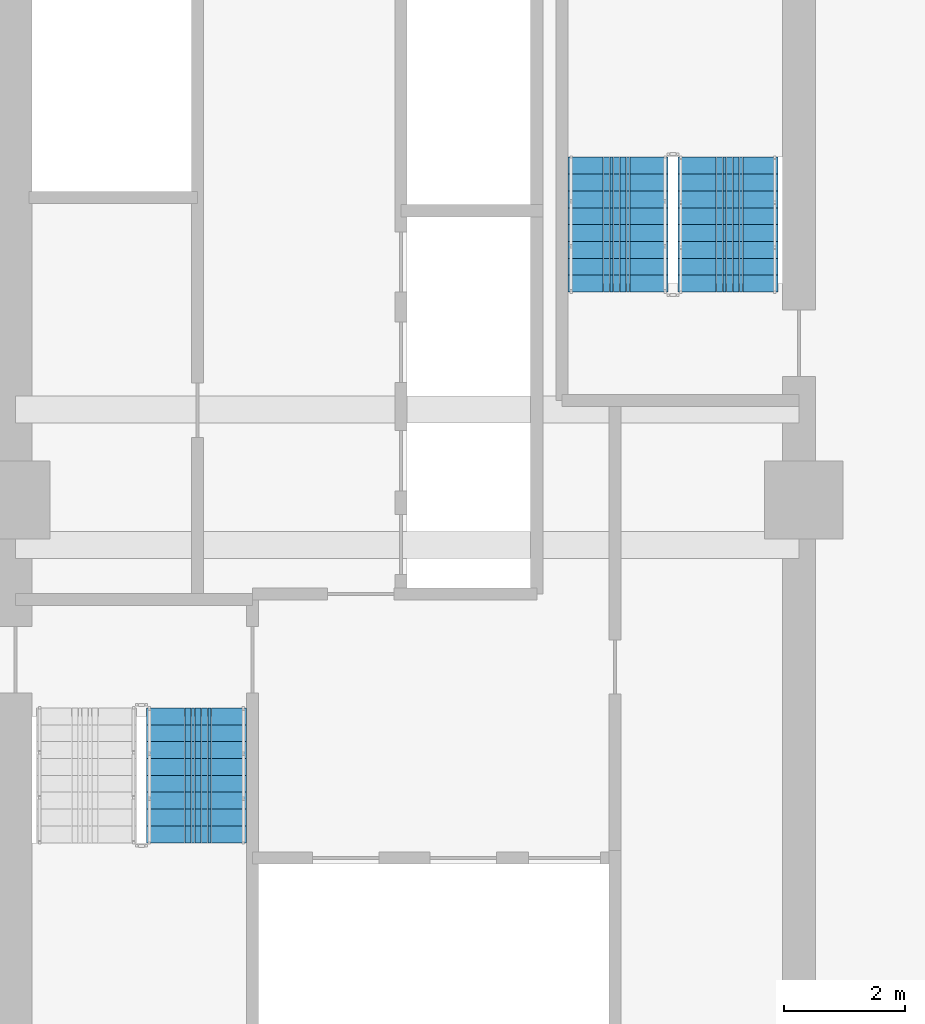
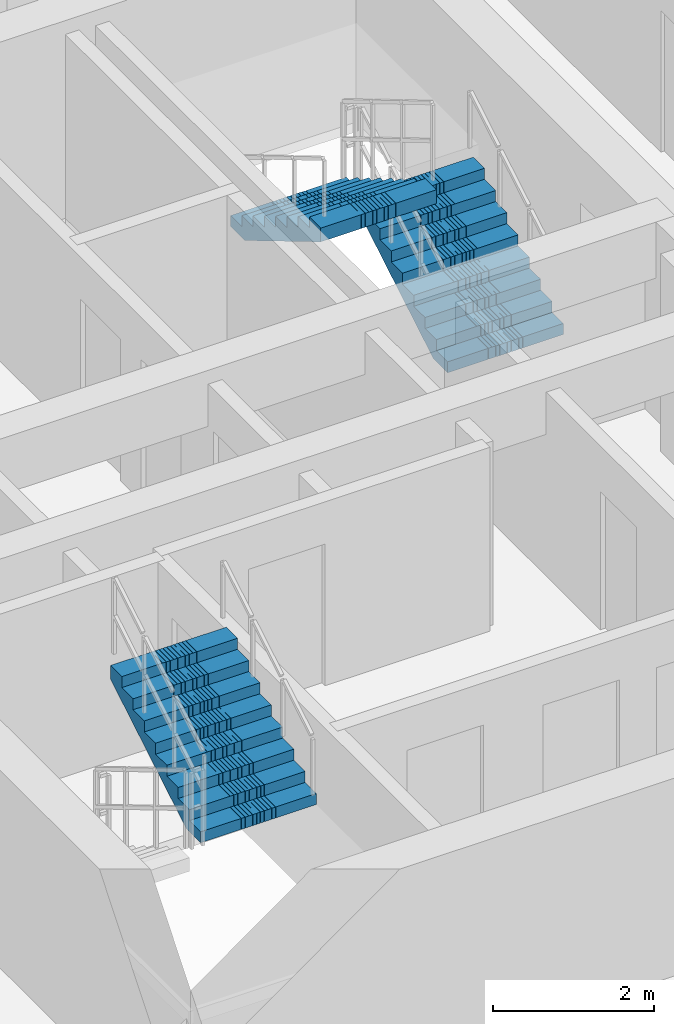
# One storey, part 7 of 11: 3 stair flights, 2 elements without a shape of their own.
"""IFC4 building model written with IfcOpenShell, lengths in metres."""

from ifc_helpers import new_model, si_unit, direction, frame, origin, place, context, subcontext, project, spatial, polyline, outline, extrude, material, type_object, element, aggregate, save


model = new_model("IFC4")

# Units and contexts
model_context = context("Model", 3, precision=1e-05, world=origin(), true_north=direction((0.0, 1.0)))
body_context = subcontext(model_context, "Body", "Model", "MODEL_VIEW")
ifc_project = project(units=[si_unit("LENGTHUNIT", "METRE"), si_unit("AREAUNIT", "SQUARE_METRE"), si_unit("VOLUMEUNIT", "CUBIC_METRE"), si_unit("PLANEANGLEUNIT", "RADIAN"), si_unit("MASSUNIT", "GRAM", prefix="KILO")], contexts=[model_context])

# Site, building, storey
site_placement = place(None, origin())
site = spatial("IfcSite", under=ifc_project, at=site_placement, CompositionType="ELEMENT")
building_placement = place(site_placement, origin())
building = spatial("IfcBuilding", under=site, at=building_placement, Name="Saelheon Loggia Tower", CompositionType="ELEMENT")
storey_placement = place(building_placement, frame((0.0, 0.0, 138.75)))
storey = spatial("IfcBuildingStorey", under=building, at=storey_placement, Name="L44", CompositionType="ELEMENT", Elevation=138.75)

# Stair, stair flight
ifc_material = material(Name="Concrete C40/50", Category="concrete")
stair_type = type_object("IfcStairType", Name="Stair_Escape_Core", PredefinedType="HALF_TURN_STAIR", material=ifc_material)
stair_1_placement = place(storey_placement, origin())
stair_1 = element("IfcStair", 1, at=stair_1_placement, inside=storey, type_object=stair_type, Name="L44 Special Escape Stair ST1", PredefinedType="HALF_TURN_STAIR")
stair_flight_type = type_object("IfcStairFlightType", Name="StairFlight_Tower_1660", PredefinedType="STRAIGHT", material=ifc_material)
stair_flight_1_placement = place(storey_placement, frame((34.5, 21.31005859375, 1.5), z_axis=(0.0, 0.0, 1.0), x_axis=(0.0, 1.0, 0.0)))
stair_flight_1 = element("IfcStairFlight", 2, at=stair_flight_1_placement, type_object=stair_flight_type, Name="ST1 flight 2", NumberOfRisers=9, NumberOfTreads=8, PredefinedType="STRAIGHT", RiserHeight=0.166666667, TreadLength=0.28, context=body_context, shape_type="SweptSolid", body=[
    extrude(outline(polyline([(0.0, 0.0), (0.0, 0.166748046875), (0.280029296875, 0.166748046875), (0.280029296875, 0.333251953125), (0.56005859375, 0.333251953125), (0.56005859375, 0.5), (0.840087890625, 0.5), (0.840087890625, 0.666748046875), (1.1201171875, 0.666748046875), (1.1201171875, 0.833251953125), (1.39990234375, 0.833251953125), (1.39990234375, 1.0), (1.679931640625, 1.0), (1.679931640625, 1.166748046875), (1.9599609375, 1.166748046875), (1.9599609375, 1.333251953125), (2.239990234375, 1.333251953125), (2.239990234375, 1.5), (2.239990234375, 1.1240234375), (0.351806640625, 0.0), (0.0, 0.0)])), frame((0.0, -0.2490234375, 0.0), z_axis=(0.0, -1.0, 0.0), x_axis=(1.0, 0.0, 0.0)), (0.0, 0.0, 1.0), 0.5810546875),
    extrude(outline(polyline([(0.0, 0.0), (0.0, 0.166748046875), (0.280029296875, 0.166748046875), (0.280029296875, 0.333251953125), (0.56005859375, 0.333251953125), (0.56005859375, 0.5), (0.840087890625, 0.5), (0.840087890625, 0.666748046875), (1.1201171875, 0.666748046875), (1.1201171875, 0.833251953125), (1.39990234375, 0.833251953125), (1.39990234375, 1.0), (1.679931640625, 1.0), (1.679931640625, 1.166748046875), (1.9599609375, 1.166748046875), (1.9599609375, 1.333251953125), (2.239990234375, 1.333251953125), (2.239990234375, 1.5), (2.239990234375, 1.1240234375), (0.351806640625, 0.0), (0.0, 0.0)])), frame((0.0, -0.194091796875, 0.0), z_axis=(0.0, -1.0, 0.0), x_axis=(1.0, 0.0, 0.0)), (0.0, 0.0, 1.0), 0.0498046875),
    extrude(outline(polyline([(0.0, 0.0), (0.0, 0.166748046875), (0.280029296875, 0.166748046875), (0.280029296875, 0.333251953125), (0.56005859375, 0.333251953125), (0.56005859375, 0.5), (0.840087890625, 0.5), (0.840087890625, 0.666748046875), (1.1201171875, 0.666748046875), (1.1201171875, 0.833251953125), (1.39990234375, 0.833251953125), (1.39990234375, 1.0), (1.679931640625, 1.0), (1.679931640625, 1.166748046875), (1.9599609375, 1.166748046875), (1.9599609375, 1.333251953125), (2.239990234375, 1.333251953125), (2.239990234375, 1.5), (2.239990234375, 1.1240234375), (0.351806640625, 0.0), (0.0, 0.0)])), frame((0.0, -0.139404296875, 0.0), z_axis=(0.0, -1.0, 0.0), x_axis=(1.0, 0.0, 0.0)), (0.0, 0.0, 1.0), 0.0498046875),
    extrude(outline(polyline([(0.0, 0.0), (0.0, 0.166748046875), (0.280029296875, 0.166748046875), (0.280029296875, 0.333251953125), (0.56005859375, 0.333251953125), (0.56005859375, 0.5), (0.840087890625, 0.5), (0.840087890625, 0.666748046875), (1.1201171875, 0.666748046875), (1.1201171875, 0.833251953125), (1.39990234375, 0.833251953125), (1.39990234375, 1.0), (1.679931640625, 1.0), (1.679931640625, 1.166748046875), (1.9599609375, 1.166748046875), (1.9599609375, 1.333251953125), (2.239990234375, 1.333251953125), (2.239990234375, 1.5), (2.239990234375, 1.1240234375), (0.351806640625, 0.0), (0.0, 0.0)])), frame((0.0, -0.084716796875, 0.0), z_axis=(0.0, -1.0, 0.0), x_axis=(1.0, 0.0, 0.0)), (0.0, 0.0, 1.0), 0.0498046875),
    extrude(outline(polyline([(0.0, 0.0), (0.0, 0.166748046875), (0.280029296875, 0.166748046875), (0.280029296875, 0.333251953125), (0.56005859375, 0.333251953125), (0.56005859375, 0.5), (0.840087890625, 0.5), (0.840087890625, 0.666748046875), (1.1201171875, 0.666748046875), (1.1201171875, 0.833251953125), (1.39990234375, 0.833251953125), (1.39990234375, 1.0), (1.679931640625, 1.0), (1.679931640625, 1.166748046875), (1.9599609375, 1.166748046875), (1.9599609375, 1.333251953125), (2.239990234375, 1.333251953125), (2.239990234375, 1.5), (2.239990234375, 1.1240234375), (0.351806640625, 0.0), (0.0, 0.0)])), frame((0.0, -0.02978515625, 0.0), z_axis=(0.0, -1.0, 0.0), x_axis=(1.0, 0.0, 0.0)), (0.0, 0.0, 1.0), 0.0498046875),
    extrude(outline(polyline([(0.0, 0.0), (0.0, 0.166748046875), (0.280029296875, 0.166748046875), (0.280029296875, 0.333251953125), (0.56005859375, 0.333251953125), (0.56005859375, 0.5), (0.840087890625, 0.5), (0.840087890625, 0.666748046875), (1.1201171875, 0.666748046875), (1.1201171875, 0.833251953125), (1.39990234375, 0.833251953125), (1.39990234375, 1.0), (1.679931640625, 1.0), (1.679931640625, 1.166748046875), (1.9599609375, 1.166748046875), (1.9599609375, 1.333251953125), (2.239990234375, 1.333251953125), (2.239990234375, 1.5), (2.239990234375, 1.1240234375), (0.351806640625, 0.0), (0.0, 0.0)])), frame((0.0, 0.02490234375, 0.0), z_axis=(0.0, -1.0, 0.0), x_axis=(1.0, 0.0, 0.0)), (0.0, 0.0, 1.0), 0.0498046875),
    extrude(outline(polyline([(0.0, 0.0), (0.0, 0.166748046875), (0.280029296875, 0.166748046875), (0.280029296875, 0.333251953125), (0.56005859375, 0.333251953125), (0.56005859375, 0.5), (0.840087890625, 0.5), (0.840087890625, 0.666748046875), (1.1201171875, 0.666748046875), (1.1201171875, 0.833251953125), (1.39990234375, 0.833251953125), (1.39990234375, 1.0), (1.679931640625, 1.0), (1.679931640625, 1.166748046875), (1.9599609375, 1.166748046875), (1.9599609375, 1.333251953125), (2.239990234375, 1.333251953125), (2.239990234375, 1.5), (2.239990234375, 1.1240234375), (0.351806640625, 0.0), (0.0, 0.0)])), frame((0.0, 0.07958984375, 0.0), z_axis=(0.0, -1.0, 0.0), x_axis=(1.0, 0.0, 0.0)), (0.0, 0.0, 1.0), 0.0498046875),
    extrude(outline(polyline([(0.0, 0.0), (0.0, 0.166748046875), (0.280029296875, 0.166748046875), (0.280029296875, 0.333251953125), (0.56005859375, 0.333251953125), (0.56005859375, 0.5), (0.840087890625, 0.5), (0.840087890625, 0.666748046875), (1.1201171875, 0.666748046875), (1.1201171875, 0.833251953125), (1.39990234375, 0.833251953125), (1.39990234375, 1.0), (1.679931640625, 1.0), (1.679931640625, 1.166748046875), (1.9599609375, 1.166748046875), (1.9599609375, 1.333251953125), (2.239990234375, 1.333251953125), (2.239990234375, 1.5), (2.239990234375, 1.1240234375), (0.351806640625, 0.0), (0.0, 0.0)])), frame((0.0, 0.134521484375, 0.0), z_axis=(0.0, -1.0, 0.0), x_axis=(1.0, 0.0, 0.0)), (0.0, 0.0, 1.0), 0.0498046875),
    extrude(outline(polyline([(0.0, 0.0), (0.0, 0.166748046875), (0.280029296875, 0.166748046875), (0.280029296875, 0.333251953125), (0.56005859375, 0.333251953125), (0.56005859375, 0.5), (0.840087890625, 0.5), (0.840087890625, 0.666748046875), (1.1201171875, 0.666748046875), (1.1201171875, 0.833251953125), (1.39990234375, 0.833251953125), (1.39990234375, 1.0), (1.679931640625, 1.0), (1.679931640625, 1.166748046875), (1.9599609375, 1.166748046875), (1.9599609375, 1.333251953125), (2.239990234375, 1.333251953125), (2.239990234375, 1.5), (2.239990234375, 1.1240234375), (0.351806640625, 0.0), (0.0, 0.0)])), frame((0.0, 0.189208984375, 0.0), z_axis=(0.0, -1.0, 0.0), x_axis=(1.0, 0.0, 0.0)), (0.0, 0.0, 1.0), 0.0498046875),
    extrude(outline(polyline([(0.0, 0.0), (0.0, 0.166748046875), (0.280029296875, 0.166748046875), (0.280029296875, 0.333251953125), (0.56005859375, 0.333251953125), (0.56005859375, 0.5), (0.840087890625, 0.5), (0.840087890625, 0.666748046875), (1.1201171875, 0.666748046875), (1.1201171875, 0.833251953125), (1.39990234375, 0.833251953125), (1.39990234375, 1.0), (1.679931640625, 1.0), (1.679931640625, 1.166748046875), (1.9599609375, 1.166748046875), (1.9599609375, 1.333251953125), (2.239990234375, 1.333251953125), (2.239990234375, 1.5), (2.239990234375, 1.1240234375), (0.351806640625, 0.0), (0.0, 0.0)])), frame((0.0, 0.243896484375, 0.0), z_axis=(0.0, -1.0, 0.0), x_axis=(1.0, 0.0, 0.0)), (0.0, 0.0, 1.0), 0.0498046875),
    extrude(outline(polyline([(0.0, 0.0), (0.0, 0.166748046875), (0.280029296875, 0.166748046875), (0.280029296875, 0.333251953125), (0.56005859375, 0.333251953125), (0.56005859375, 0.5), (0.840087890625, 0.5), (0.840087890625, 0.666748046875), (1.1201171875, 0.666748046875), (1.1201171875, 0.833251953125), (1.39990234375, 0.833251953125), (1.39990234375, 1.0), (1.679931640625, 1.0), (1.679931640625, 1.166748046875), (1.9599609375, 1.166748046875), (1.9599609375, 1.333251953125), (2.239990234375, 1.333251953125), (2.239990234375, 1.5), (2.239990234375, 1.1240234375), (0.351806640625, 0.0), (0.0, 0.0)])), frame((0.0, 0.830078125, 0.0), z_axis=(0.0, -1.0, 0.0), x_axis=(1.0, 0.0, 0.0)), (0.0, 0.0, 1.0), 0.5810546875),
])
aggregate(stair_1, [stair_flight_1])

# Stair, stair flights
stair_2_placement = place(storey_placement, origin())
stair_2 = element("IfcStair", 3, at=stair_2_placement, inside=storey, type_object=stair_type, Name="L44 Special Escape Stair ST2", PredefinedType="HALF_TURN_STAIR")
stair_flight_2_placement = place(storey_placement, frame((43.320068359375, 30.449951171875, 0.0), z_axis=(0.0, 0.0, 1.0), x_axis=(0.0, 1.0, 0.0)))
stair_flight_2 = element("IfcStairFlight", 4, at=stair_flight_2_placement, type_object=stair_flight_type, Name="ST2 flight 1", NumberOfRisers=9, NumberOfTreads=8, PredefinedType="STRAIGHT", RiserHeight=0.166666667, TreadLength=0.28, context=body_context, shape_type="SweptSolid", body=[
    extrude(outline(polyline([(0.0, 0.0), (0.0, 0.166748046875), (0.280029296875, 0.166748046875), (0.280029296875, 0.333251953125), (0.56005859375, 0.333251953125), (0.56005859375, 0.5), (0.840087890625, 0.5), (0.840087890625, 0.666748046875), (1.1201171875, 0.666748046875), (1.1201171875, 0.833251953125), (1.39990234375, 0.833251953125), (1.39990234375, 1.0), (1.679931640625, 1.0), (1.679931640625, 1.166748046875), (1.9599609375, 1.166748046875), (1.9599609375, 1.333251953125), (2.239990234375, 1.333251953125), (2.239990234375, 1.5), (2.239990234375, 1.1240234375), (0.351806640625, 0.0), (0.0, 0.0)])), frame((0.0, -0.2490234375, 0.0), z_axis=(0.0, -1.0, 0.0), x_axis=(1.0, 0.0, 0.0)), (0.0, 0.0, 1.0), 0.5810546875),
    extrude(outline(polyline([(0.0, 0.0), (0.0, 0.166748046875), (0.280029296875, 0.166748046875), (0.280029296875, 0.333251953125), (0.56005859375, 0.333251953125), (0.56005859375, 0.5), (0.840087890625, 0.5), (0.840087890625, 0.666748046875), (1.1201171875, 0.666748046875), (1.1201171875, 0.833251953125), (1.39990234375, 0.833251953125), (1.39990234375, 1.0), (1.679931640625, 1.0), (1.679931640625, 1.166748046875), (1.9599609375, 1.166748046875), (1.9599609375, 1.333251953125), (2.239990234375, 1.333251953125), (2.239990234375, 1.5), (2.239990234375, 1.1240234375), (0.351806640625, 0.0), (0.0, 0.0)])), frame((0.0, -0.194091796875, 0.0), z_axis=(0.0, -1.0, 0.0), x_axis=(1.0, 0.0, 0.0)), (0.0, 0.0, 1.0), 0.0498046875),
    extrude(outline(polyline([(0.0, 0.0), (0.0, 0.166748046875), (0.280029296875, 0.166748046875), (0.280029296875, 0.333251953125), (0.56005859375, 0.333251953125), (0.56005859375, 0.5), (0.840087890625, 0.5), (0.840087890625, 0.666748046875), (1.1201171875, 0.666748046875), (1.1201171875, 0.833251953125), (1.39990234375, 0.833251953125), (1.39990234375, 1.0), (1.679931640625, 1.0), (1.679931640625, 1.166748046875), (1.9599609375, 1.166748046875), (1.9599609375, 1.333251953125), (2.239990234375, 1.333251953125), (2.239990234375, 1.5), (2.239990234375, 1.1240234375), (0.351806640625, 0.0), (0.0, 0.0)])), frame((0.0, -0.139404296875, 0.0), z_axis=(0.0, -1.0, 0.0), x_axis=(1.0, 0.0, 0.0)), (0.0, 0.0, 1.0), 0.0498046875),
    extrude(outline(polyline([(0.0, 0.0), (0.0, 0.166748046875), (0.280029296875, 0.166748046875), (0.280029296875, 0.333251953125), (0.56005859375, 0.333251953125), (0.56005859375, 0.5), (0.840087890625, 0.5), (0.840087890625, 0.666748046875), (1.1201171875, 0.666748046875), (1.1201171875, 0.833251953125), (1.39990234375, 0.833251953125), (1.39990234375, 1.0), (1.679931640625, 1.0), (1.679931640625, 1.166748046875), (1.9599609375, 1.166748046875), (1.9599609375, 1.333251953125), (2.239990234375, 1.333251953125), (2.239990234375, 1.5), (2.239990234375, 1.1240234375), (0.351806640625, 0.0), (0.0, 0.0)])), frame((0.0, -0.084716796875, 0.0), z_axis=(0.0, -1.0, 0.0), x_axis=(1.0, 0.0, 0.0)), (0.0, 0.0, 1.0), 0.0498046875),
    extrude(outline(polyline([(0.0, 0.0), (0.0, 0.166748046875), (0.280029296875, 0.166748046875), (0.280029296875, 0.333251953125), (0.56005859375, 0.333251953125), (0.56005859375, 0.5), (0.840087890625, 0.5), (0.840087890625, 0.666748046875), (1.1201171875, 0.666748046875), (1.1201171875, 0.833251953125), (1.39990234375, 0.833251953125), (1.39990234375, 1.0), (1.679931640625, 1.0), (1.679931640625, 1.166748046875), (1.9599609375, 1.166748046875), (1.9599609375, 1.333251953125), (2.239990234375, 1.333251953125), (2.239990234375, 1.5), (2.239990234375, 1.1240234375), (0.351806640625, 0.0), (0.0, 0.0)])), frame((0.0, -0.02978515625, 0.0), z_axis=(0.0, -1.0, 0.0), x_axis=(1.0, 0.0, 0.0)), (0.0, 0.0, 1.0), 0.0498046875),
    extrude(outline(polyline([(0.0, 0.0), (0.0, 0.166748046875), (0.280029296875, 0.166748046875), (0.280029296875, 0.333251953125), (0.56005859375, 0.333251953125), (0.56005859375, 0.5), (0.840087890625, 0.5), (0.840087890625, 0.666748046875), (1.1201171875, 0.666748046875), (1.1201171875, 0.833251953125), (1.39990234375, 0.833251953125), (1.39990234375, 1.0), (1.679931640625, 1.0), (1.679931640625, 1.166748046875), (1.9599609375, 1.166748046875), (1.9599609375, 1.333251953125), (2.239990234375, 1.333251953125), (2.239990234375, 1.5), (2.239990234375, 1.1240234375), (0.351806640625, 0.0), (0.0, 0.0)])), frame((0.0, 0.02490234375, 0.0), z_axis=(0.0, -1.0, 0.0), x_axis=(1.0, 0.0, 0.0)), (0.0, 0.0, 1.0), 0.0498046875),
    extrude(outline(polyline([(0.0, 0.0), (0.0, 0.166748046875), (0.280029296875, 0.166748046875), (0.280029296875, 0.333251953125), (0.56005859375, 0.333251953125), (0.56005859375, 0.5), (0.840087890625, 0.5), (0.840087890625, 0.666748046875), (1.1201171875, 0.666748046875), (1.1201171875, 0.833251953125), (1.39990234375, 0.833251953125), (1.39990234375, 1.0), (1.679931640625, 1.0), (1.679931640625, 1.166748046875), (1.9599609375, 1.166748046875), (1.9599609375, 1.333251953125), (2.239990234375, 1.333251953125), (2.239990234375, 1.5), (2.239990234375, 1.1240234375), (0.351806640625, 0.0), (0.0, 0.0)])), frame((0.0, 0.07958984375, 0.0), z_axis=(0.0, -1.0, 0.0), x_axis=(1.0, 0.0, 0.0)), (0.0, 0.0, 1.0), 0.0498046875),
    extrude(outline(polyline([(0.0, 0.0), (0.0, 0.166748046875), (0.280029296875, 0.166748046875), (0.280029296875, 0.333251953125), (0.56005859375, 0.333251953125), (0.56005859375, 0.5), (0.840087890625, 0.5), (0.840087890625, 0.666748046875), (1.1201171875, 0.666748046875), (1.1201171875, 0.833251953125), (1.39990234375, 0.833251953125), (1.39990234375, 1.0), (1.679931640625, 1.0), (1.679931640625, 1.166748046875), (1.9599609375, 1.166748046875), (1.9599609375, 1.333251953125), (2.239990234375, 1.333251953125), (2.239990234375, 1.5), (2.239990234375, 1.1240234375), (0.351806640625, 0.0), (0.0, 0.0)])), frame((0.0, 0.134521484375, 0.0), z_axis=(0.0, -1.0, 0.0), x_axis=(1.0, 0.0, 0.0)), (0.0, 0.0, 1.0), 0.0498046875),
    extrude(outline(polyline([(0.0, 0.0), (0.0, 0.166748046875), (0.280029296875, 0.166748046875), (0.280029296875, 0.333251953125), (0.56005859375, 0.333251953125), (0.56005859375, 0.5), (0.840087890625, 0.5), (0.840087890625, 0.666748046875), (1.1201171875, 0.666748046875), (1.1201171875, 0.833251953125), (1.39990234375, 0.833251953125), (1.39990234375, 1.0), (1.679931640625, 1.0), (1.679931640625, 1.166748046875), (1.9599609375, 1.166748046875), (1.9599609375, 1.333251953125), (2.239990234375, 1.333251953125), (2.239990234375, 1.5), (2.239990234375, 1.1240234375), (0.351806640625, 0.0), (0.0, 0.0)])), frame((0.0, 0.189208984375, 0.0), z_axis=(0.0, -1.0, 0.0), x_axis=(1.0, 0.0, 0.0)), (0.0, 0.0, 1.0), 0.0498046875),
    extrude(outline(polyline([(0.0, 0.0), (0.0, 0.166748046875), (0.280029296875, 0.166748046875), (0.280029296875, 0.333251953125), (0.56005859375, 0.333251953125), (0.56005859375, 0.5), (0.840087890625, 0.5), (0.840087890625, 0.666748046875), (1.1201171875, 0.666748046875), (1.1201171875, 0.833251953125), (1.39990234375, 0.833251953125), (1.39990234375, 1.0), (1.679931640625, 1.0), (1.679931640625, 1.166748046875), (1.9599609375, 1.166748046875), (1.9599609375, 1.333251953125), (2.239990234375, 1.333251953125), (2.239990234375, 1.5), (2.239990234375, 1.1240234375), (0.351806640625, 0.0), (0.0, 0.0)])), frame((0.0, 0.243896484375, 0.0), z_axis=(0.0, -1.0, 0.0), x_axis=(1.0, 0.0, 0.0)), (0.0, 0.0, 1.0), 0.0498046875),
    extrude(outline(polyline([(0.0, 0.0), (0.0, 0.166748046875), (0.280029296875, 0.166748046875), (0.280029296875, 0.333251953125), (0.56005859375, 0.333251953125), (0.56005859375, 0.5), (0.840087890625, 0.5), (0.840087890625, 0.666748046875), (1.1201171875, 0.666748046875), (1.1201171875, 0.833251953125), (1.39990234375, 0.833251953125), (1.39990234375, 1.0), (1.679931640625, 1.0), (1.679931640625, 1.166748046875), (1.9599609375, 1.166748046875), (1.9599609375, 1.333251953125), (2.239990234375, 1.333251953125), (2.239990234375, 1.5), (2.239990234375, 1.1240234375), (0.351806640625, 0.0), (0.0, 0.0)])), frame((0.0, 0.830078125, 0.0), z_axis=(0.0, -1.0, 0.0), x_axis=(1.0, 0.0, 0.0)), (0.0, 0.0, 1.0), 0.5810546875),
])
stair_flight_3_placement = place(storey_placement, frame((41.5, 32.68994140625, 1.5), z_axis=(0.0, 0.0, 1.0), x_axis=(0.0, -1.0, 0.0)))
stair_flight_3 = element("IfcStairFlight", 5, at=stair_flight_3_placement, type_object=stair_flight_type, Name="ST2 flight 2", NumberOfRisers=9, NumberOfTreads=8, PredefinedType="STRAIGHT", RiserHeight=0.166666667, TreadLength=0.28, context=body_context, shape_type="SweptSolid", body=[
    extrude(outline(polyline([(0.0, 0.0), (0.0, 0.166748046875), (0.280029296875, 0.166748046875), (0.280029296875, 0.333251953125), (0.56005859375, 0.333251953125), (0.56005859375, 0.5), (0.840087890625, 0.5), (0.840087890625, 0.666748046875), (1.1201171875, 0.666748046875), (1.1201171875, 0.833251953125), (1.39990234375, 0.833251953125), (1.39990234375, 1.0), (1.679931640625, 1.0), (1.679931640625, 1.166748046875), (1.9599609375, 1.166748046875), (1.9599609375, 1.333251953125), (2.239990234375, 1.333251953125), (2.239990234375, 1.5), (2.239990234375, 1.1240234375), (0.351806640625, 0.0), (0.0, 0.0)])), frame((0.0, -0.2490234375, 0.0), z_axis=(0.0, -1.0, 0.0), x_axis=(1.0, 0.0, 0.0)), (0.0, 0.0, 1.0), 0.5810546875),
    extrude(outline(polyline([(0.0, 0.0), (0.0, 0.166748046875), (0.280029296875, 0.166748046875), (0.280029296875, 0.333251953125), (0.56005859375, 0.333251953125), (0.56005859375, 0.5), (0.840087890625, 0.5), (0.840087890625, 0.666748046875), (1.1201171875, 0.666748046875), (1.1201171875, 0.833251953125), (1.39990234375, 0.833251953125), (1.39990234375, 1.0), (1.679931640625, 1.0), (1.679931640625, 1.166748046875), (1.9599609375, 1.166748046875), (1.9599609375, 1.333251953125), (2.239990234375, 1.333251953125), (2.239990234375, 1.5), (2.239990234375, 1.1240234375), (0.351806640625, 0.0), (0.0, 0.0)])), frame((0.0, -0.194091796875, 0.0), z_axis=(0.0, -1.0, 0.0), x_axis=(1.0, 0.0, 0.0)), (0.0, 0.0, 1.0), 0.0498046875),
    extrude(outline(polyline([(0.0, 0.0), (0.0, 0.166748046875), (0.280029296875, 0.166748046875), (0.280029296875, 0.333251953125), (0.56005859375, 0.333251953125), (0.56005859375, 0.5), (0.840087890625, 0.5), (0.840087890625, 0.666748046875), (1.1201171875, 0.666748046875), (1.1201171875, 0.833251953125), (1.39990234375, 0.833251953125), (1.39990234375, 1.0), (1.679931640625, 1.0), (1.679931640625, 1.166748046875), (1.9599609375, 1.166748046875), (1.9599609375, 1.333251953125), (2.239990234375, 1.333251953125), (2.239990234375, 1.5), (2.239990234375, 1.1240234375), (0.351806640625, 0.0), (0.0, 0.0)])), frame((0.0, -0.139404296875, 0.0), z_axis=(0.0, -1.0, 0.0), x_axis=(1.0, 0.0, 0.0)), (0.0, 0.0, 1.0), 0.0498046875),
    extrude(outline(polyline([(0.0, 0.0), (0.0, 0.166748046875), (0.280029296875, 0.166748046875), (0.280029296875, 0.333251953125), (0.56005859375, 0.333251953125), (0.56005859375, 0.5), (0.840087890625, 0.5), (0.840087890625, 0.666748046875), (1.1201171875, 0.666748046875), (1.1201171875, 0.833251953125), (1.39990234375, 0.833251953125), (1.39990234375, 1.0), (1.679931640625, 1.0), (1.679931640625, 1.166748046875), (1.9599609375, 1.166748046875), (1.9599609375, 1.333251953125), (2.239990234375, 1.333251953125), (2.239990234375, 1.5), (2.239990234375, 1.1240234375), (0.351806640625, 0.0), (0.0, 0.0)])), frame((0.0, -0.084716796875, 0.0), z_axis=(0.0, -1.0, 0.0), x_axis=(1.0, 0.0, 0.0)), (0.0, 0.0, 1.0), 0.0498046875),
    extrude(outline(polyline([(0.0, 0.0), (0.0, 0.166748046875), (0.280029296875, 0.166748046875), (0.280029296875, 0.333251953125), (0.56005859375, 0.333251953125), (0.56005859375, 0.5), (0.840087890625, 0.5), (0.840087890625, 0.666748046875), (1.1201171875, 0.666748046875), (1.1201171875, 0.833251953125), (1.39990234375, 0.833251953125), (1.39990234375, 1.0), (1.679931640625, 1.0), (1.679931640625, 1.166748046875), (1.9599609375, 1.166748046875), (1.9599609375, 1.333251953125), (2.239990234375, 1.333251953125), (2.239990234375, 1.5), (2.239990234375, 1.1240234375), (0.351806640625, 0.0), (0.0, 0.0)])), frame((0.0, -0.02978515625, 0.0), z_axis=(0.0, -1.0, 0.0), x_axis=(1.0, 0.0, 0.0)), (0.0, 0.0, 1.0), 0.0498046875),
    extrude(outline(polyline([(0.0, 0.0), (0.0, 0.166748046875), (0.280029296875, 0.166748046875), (0.280029296875, 0.333251953125), (0.56005859375, 0.333251953125), (0.56005859375, 0.5), (0.840087890625, 0.5), (0.840087890625, 0.666748046875), (1.1201171875, 0.666748046875), (1.1201171875, 0.833251953125), (1.39990234375, 0.833251953125), (1.39990234375, 1.0), (1.679931640625, 1.0), (1.679931640625, 1.166748046875), (1.9599609375, 1.166748046875), (1.9599609375, 1.333251953125), (2.239990234375, 1.333251953125), (2.239990234375, 1.5), (2.239990234375, 1.1240234375), (0.351806640625, 0.0), (0.0, 0.0)])), frame((0.0, 0.02490234375, 0.0), z_axis=(0.0, -1.0, 0.0), x_axis=(1.0, 0.0, 0.0)), (0.0, 0.0, 1.0), 0.0498046875),
    extrude(outline(polyline([(0.0, 0.0), (0.0, 0.166748046875), (0.280029296875, 0.166748046875), (0.280029296875, 0.333251953125), (0.56005859375, 0.333251953125), (0.56005859375, 0.5), (0.840087890625, 0.5), (0.840087890625, 0.666748046875), (1.1201171875, 0.666748046875), (1.1201171875, 0.833251953125), (1.39990234375, 0.833251953125), (1.39990234375, 1.0), (1.679931640625, 1.0), (1.679931640625, 1.166748046875), (1.9599609375, 1.166748046875), (1.9599609375, 1.333251953125), (2.239990234375, 1.333251953125), (2.239990234375, 1.5), (2.239990234375, 1.1240234375), (0.351806640625, 0.0), (0.0, 0.0)])), frame((0.0, 0.07958984375, 0.0), z_axis=(0.0, -1.0, 0.0), x_axis=(1.0, 0.0, 0.0)), (0.0, 0.0, 1.0), 0.0498046875),
    extrude(outline(polyline([(0.0, 0.0), (0.0, 0.166748046875), (0.280029296875, 0.166748046875), (0.280029296875, 0.333251953125), (0.56005859375, 0.333251953125), (0.56005859375, 0.5), (0.840087890625, 0.5), (0.840087890625, 0.666748046875), (1.1201171875, 0.666748046875), (1.1201171875, 0.833251953125), (1.39990234375, 0.833251953125), (1.39990234375, 1.0), (1.679931640625, 1.0), (1.679931640625, 1.166748046875), (1.9599609375, 1.166748046875), (1.9599609375, 1.333251953125), (2.239990234375, 1.333251953125), (2.239990234375, 1.5), (2.239990234375, 1.1240234375), (0.351806640625, 0.0), (0.0, 0.0)])), frame((0.0, 0.134521484375, 0.0), z_axis=(0.0, -1.0, 0.0), x_axis=(1.0, 0.0, 0.0)), (0.0, 0.0, 1.0), 0.0498046875),
    extrude(outline(polyline([(0.0, 0.0), (0.0, 0.166748046875), (0.280029296875, 0.166748046875), (0.280029296875, 0.333251953125), (0.56005859375, 0.333251953125), (0.56005859375, 0.5), (0.840087890625, 0.5), (0.840087890625, 0.666748046875), (1.1201171875, 0.666748046875), (1.1201171875, 0.833251953125), (1.39990234375, 0.833251953125), (1.39990234375, 1.0), (1.679931640625, 1.0), (1.679931640625, 1.166748046875), (1.9599609375, 1.166748046875), (1.9599609375, 1.333251953125), (2.239990234375, 1.333251953125), (2.239990234375, 1.5), (2.239990234375, 1.1240234375), (0.351806640625, 0.0), (0.0, 0.0)])), frame((0.0, 0.189208984375, 0.0), z_axis=(0.0, -1.0, 0.0), x_axis=(1.0, 0.0, 0.0)), (0.0, 0.0, 1.0), 0.0498046875),
    extrude(outline(polyline([(0.0, 0.0), (0.0, 0.166748046875), (0.280029296875, 0.166748046875), (0.280029296875, 0.333251953125), (0.56005859375, 0.333251953125), (0.56005859375, 0.5), (0.840087890625, 0.5), (0.840087890625, 0.666748046875), (1.1201171875, 0.666748046875), (1.1201171875, 0.833251953125), (1.39990234375, 0.833251953125), (1.39990234375, 1.0), (1.679931640625, 1.0), (1.679931640625, 1.166748046875), (1.9599609375, 1.166748046875), (1.9599609375, 1.333251953125), (2.239990234375, 1.333251953125), (2.239990234375, 1.5), (2.239990234375, 1.1240234375), (0.351806640625, 0.0), (0.0, 0.0)])), frame((0.0, 0.243896484375, 0.0), z_axis=(0.0, -1.0, 0.0), x_axis=(1.0, 0.0, 0.0)), (0.0, 0.0, 1.0), 0.0498046875),
    extrude(outline(polyline([(0.0, 0.0), (0.0, 0.166748046875), (0.280029296875, 0.166748046875), (0.280029296875, 0.333251953125), (0.56005859375, 0.333251953125), (0.56005859375, 0.5), (0.840087890625, 0.5), (0.840087890625, 0.666748046875), (1.1201171875, 0.666748046875), (1.1201171875, 0.833251953125), (1.39990234375, 0.833251953125), (1.39990234375, 1.0), (1.679931640625, 1.0), (1.679931640625, 1.166748046875), (1.9599609375, 1.166748046875), (1.9599609375, 1.333251953125), (2.239990234375, 1.333251953125), (2.239990234375, 1.5), (2.239990234375, 1.1240234375), (0.351806640625, 0.0), (0.0, 0.0)])), frame((0.0, 0.830078125, 0.0), z_axis=(0.0, -1.0, 0.0), x_axis=(1.0, 0.0, 0.0)), (0.0, 0.0, 1.0), 0.5810546875),
])
aggregate(stair_2, [stair_flight_2, stair_flight_3])

save(model, "model.ifc")
